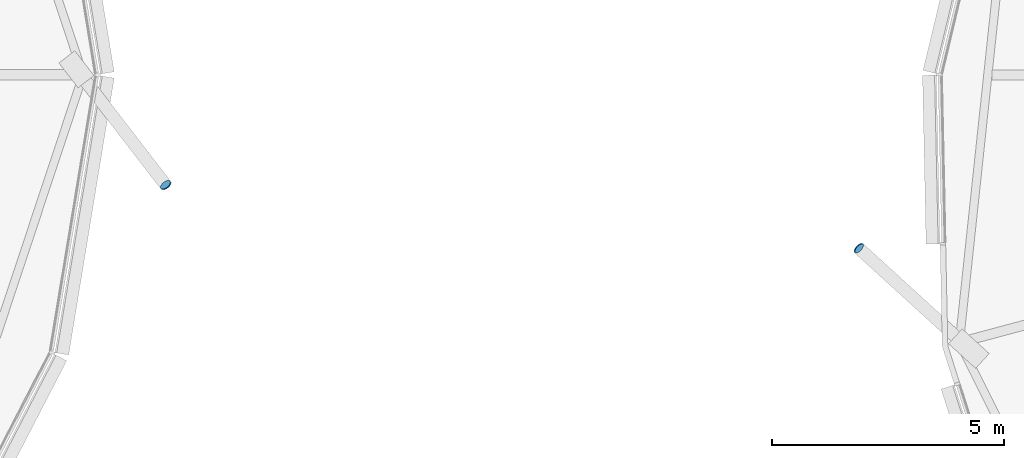
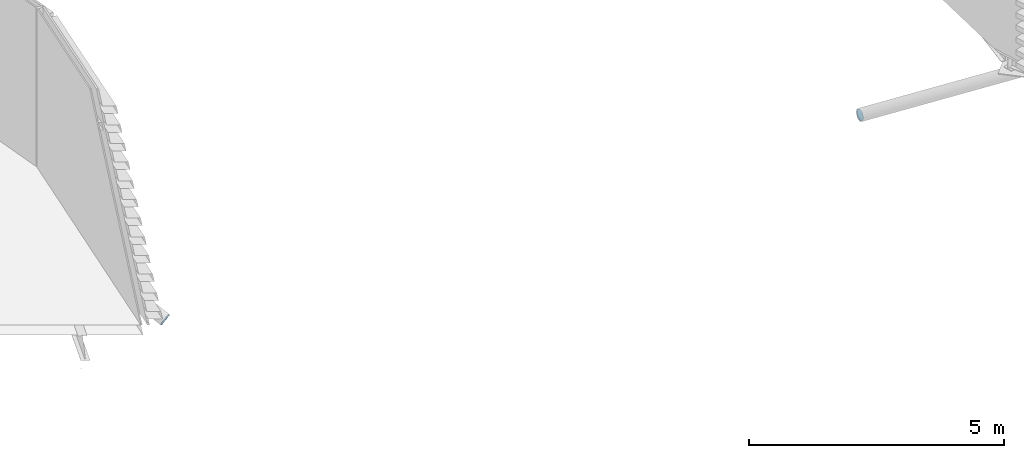
# One storey, part 29 of 39: 2 discrete accessories.
"""IFC4 building model written with IfcOpenShell, lengths in metres."""

from ifc_helpers import new_model, si_unit, direction, frame, origin, origin_2d, place, context, subcontext, project, spatial, circle, extrude, material, material_profile, profile_set, type_object, element, save


model = new_model("IFC4")

# Units and contexts
model_context = context("Model", 3, precision=1e-05, world=origin(), true_north=direction((0.0, 1.0)))
body_context = subcontext(model_context, "Body", "Model", "MODEL_VIEW")
ifc_project = project(units=[si_unit("LENGTHUNIT", "METRE"), si_unit("AREAUNIT", "SQUARE_METRE"), si_unit("VOLUMEUNIT", "CUBIC_METRE"), si_unit("PLANEANGLEUNIT", "RADIAN"), si_unit("MASSUNIT", "GRAM", prefix="KILO")], contexts=[model_context])

# Site, building, storey
site_placement = place(None, origin())
site = spatial("IfcSite", under=ifc_project, at=site_placement, CompositionType="ELEMENT")
building_placement = place(site_placement, origin())
building = spatial("IfcBuilding", under=site, at=building_placement, Name="Rimbun Link Towers", CompositionType="ELEMENT")
storey_placement = place(building_placement, frame((0.0, 0.0, 112.0)))
storey = spatial("IfcBuildingStorey", under=building, at=storey_placement, Name="L27", CompositionType="ELEMENT", Elevation=112.0)

# Discrete accessories
ifc_material = material(Name="Steel S355J2H", Category="steel")
ifc_material_profile = material_profile(ifc_material, circle(Radius=0.1240234375, at=origin_2d()), Name="PL D248")
ifc_profile_set = profile_set([ifc_material_profile], Name="Steel S355J2H")
discrete_accessory_type = type_object("IfcDiscreteAccessoryType", Name="Link foot sealing plate D248X20", PredefinedType="BRACKET", material=ifc_profile_set)
discrete_accessory_1_placement = place(storey_placement, frame((-6.943359375, -2.37060546875, -2.744384765625), z_axis=(0.524429242173, -0.670781588826, -0.524429242173), x_axis=(0.787807166322, 0.615921966398, 0.0)))
element("IfcDiscreteAccessory", 1, at=discrete_accessory_1_placement, inside=storey, type_object=discrete_accessory_type, Name="Link foot sealing plate T1 L27 00", PredefinedType="BRACKET", context=body_context, shape_type="SweptSolid", body=[
    extrude(circle(Radius=0.1240234375, at=origin_2d()), origin(), (0.0, 0.0, 1.0), 0.02001953125),
])
discrete_accessory_2_placement = place(storey_placement, frame((8.029541015625, -3.746337890625, -2.25732421875), z_axis=(-0.665945463391, 0.605404966719, -0.435891576038), x_axis=(-0.672672793996, -0.739940073396, 0.0)))
element("IfcDiscreteAccessory", 2, at=discrete_accessory_2_placement, inside=storey, type_object=discrete_accessory_type, Name="Link foot sealing plate T2 L27 10", PredefinedType="BRACKET", context=body_context, shape_type="SweptSolid", body=[
    extrude(circle(Radius=0.1240234375, at=origin_2d()), origin(), (0.0, 0.0, 1.0), 0.020263671875),
])

save(model, "model.ifc")
